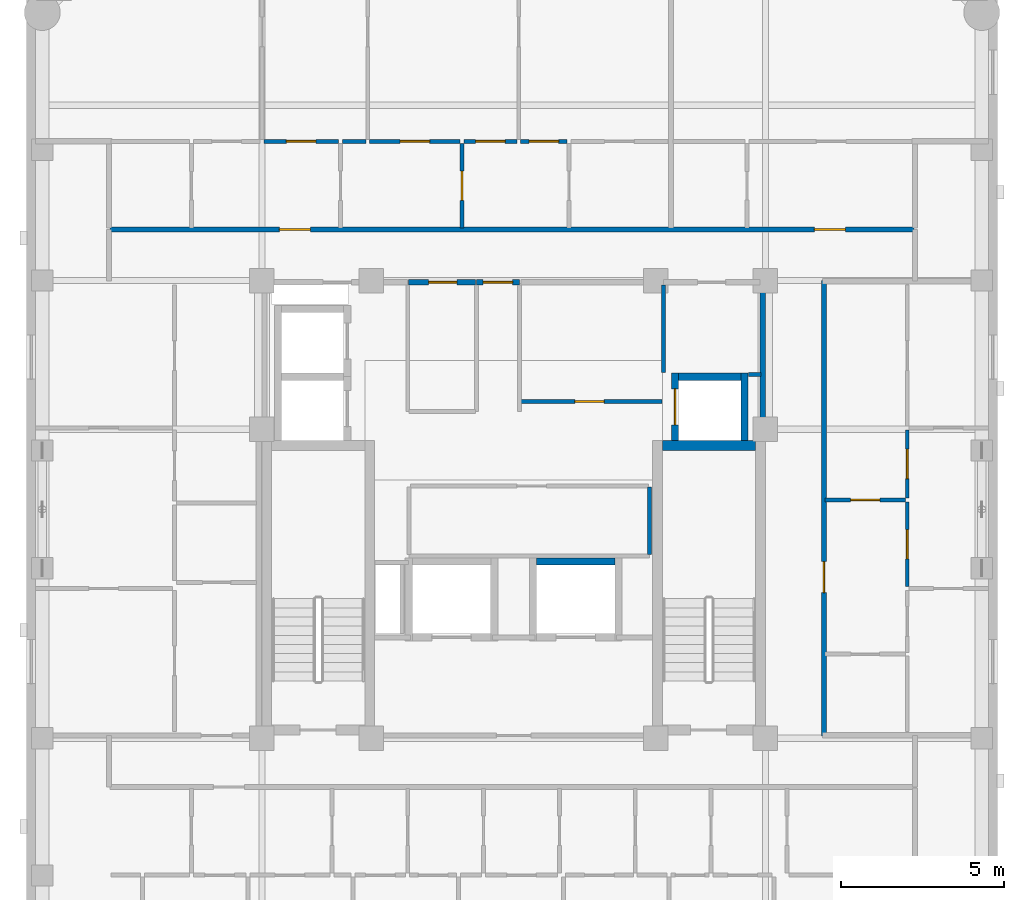
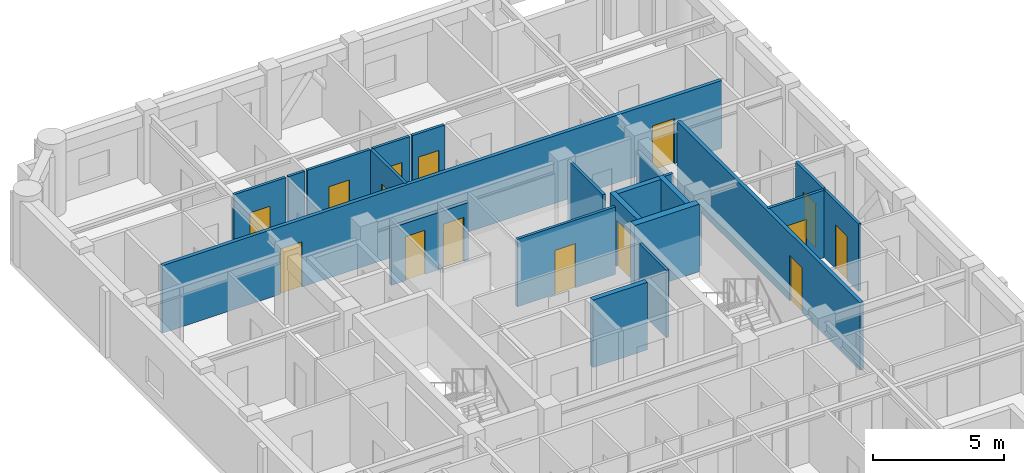
# One storey, part 6 of 11: 23 walls, 15 doors, 15 openings.
"""IFC4 building model written with IfcOpenShell, lengths in metres."""

from ifc_helpers import new_model, si_unit, derived_unit, direction, frame, frame_2d, origin, place, context, subcontext, project, spatial, rectangle, extrude, material, layer, layer_set, type_object, element, fill, save


model = new_model("IFC4")

# Units and contexts
model_context = context("Model", 3, precision=1e-05, world=origin(), true_north=direction((0.0, 1.0)))
body_context = subcontext(model_context, "Body", "Model", "MODEL_VIEW")
ifc_project = project(units=[si_unit("LENGTHUNIT", "METRE"), si_unit("AREAUNIT", "SQUARE_METRE"), si_unit("VOLUMEUNIT", "CUBIC_METRE"), si_unit("PLANEANGLEUNIT", "RADIAN"), si_unit("MASSUNIT", "GRAM", prefix="KILO"), derived_unit("THERMALTRANSMITTANCEUNIT", [(si_unit("MASSUNIT", "GRAM", prefix="KILO"), 1), (si_unit("TIMEUNIT", "SECOND"), -3), (si_unit("THERMODYNAMICTEMPERATUREUNIT", "KELVIN"), -1)])], contexts=[model_context])

# Site, building, storey
site_placement = place(None, origin())
site = spatial("IfcSite", under=ifc_project, at=site_placement, CompositionType="ELEMENT")
building_placement = place(site_placement, origin())
building = spatial("IfcBuilding", under=site, at=building_placement, Name="Korrvale Station Residences", CompositionType="ELEMENT")
storey_placement = place(building_placement, frame((0.0, 0.0, 227.5)))
storey = spatial("IfcBuildingStorey", under=building, at=storey_placement, Name="L66", CompositionType="ELEMENT", Elevation=227.5)

# Walls
ifc_material_1 = material(Name="Concrete C50/60", Category="concrete")
ifc_layer_1 = layer(ifc_material_1, 0.300048828125, Name="Concrete C50/60")
ifc_layer_set_1 = layer_set([ifc_layer_1], Name="Concrete C50/60")
wall_type_1 = type_object("IfcWallType", Name="WAL-CORE-300-C50", PredefinedType="SHEAR", material=ifc_layer_set_1)
wall_1_placement = place(storey_placement, frame((30.050048828125, 23.949951171875, 0.0), z_axis=(0.0, 0.0, 1.0), x_axis=(1.0, 0.0, 0.0)))
element("IfcWall", 1, at=wall_1_placement, inside=storey, type_object=wall_type_1, Name="L66 ST-2 Core Shear Wall North", PredefinedType="SHEAR", context=body_context, shape_type="SweptSolid", body=[
    extrude(rectangle(XDim=2.849853515625, YDim=0.300048828125, at=frame_2d((1.4248046875, 0.0))), origin(), (0.0, 0.0, 1.0), 3.139892578125),
])
ifc_material_2 = material(Name="Acoustic steel-stud gypsum board partition", Category="steel")
ifc_layer_2 = layer(ifc_material_2, 0.1201171875, Name="Acoustic steel-stud gypsum board partition")
ifc_layer_set_2 = layer_set([ifc_layer_2], Name="Acoustic steel-stud gypsum board partition")
wall_type_2 = type_object("IfcWallType", Name="WAL-PART-125", PredefinedType="PARTITIONING", material=ifc_layer_set_2)
wall_2_placement = place(storey_placement, frame((30.080078125, 26.179931640625, 0.0), z_axis=(0.0, 0.0, 1.0), x_axis=(0.0, 1.0, 0.0)))
element("IfcWall", 2, at=wall_2_placement, inside=storey, type_object=wall_type_2, Name="L66 Core Partition CW-CS-W", PredefinedType="PARTITIONING", context=body_context, shape_type="SweptSolid", body=[
    extrude(rectangle(XDim=2.68017578125, YDim=0.1201171875, at=frame_2d((1.340087890625, 0.0))), origin(), (0.0, 0.0, 1.0), 3.139892578125),
])
wall_3_placement = place(storey_placement, frame((32.679931640625, 26.1201171875, 0.0), z_axis=(0.0, 0.0, 1.0), x_axis=(1.0, 0.0, 0.0)))
element("IfcWall", 3, at=wall_3_placement, inside=storey, type_object=wall_type_2, Name="L66 Core Partition CW-CS-S", PredefinedType="PARTITIONING", context=body_context, shape_type="SweptSolid", body=[
    extrude(rectangle(XDim=0.380126953125, YDim=0.1201171875, at=frame_2d((0.18994140625, 0.0))), origin(), (0.0, 0.0, 1.0), 3.139892578125),
])

# Wall, opening, door
wall_4_placement = place(storey_placement, frame((25.719970703125, 25.300048828125, 0.0), z_axis=(0.0, 0.0, 1.0), x_axis=(1.0, 0.0, 0.0)))
wall_4 = element("IfcWall", 4, at=wall_4_placement, inside=storey, type_object=wall_type_2, Name="L66 Core Partition CW-FPLE-S", PredefinedType="PARTITIONING", context=body_context, shape_type="SweptSolid", body=[
    extrude(rectangle(XDim=4.320068359375, YDim=0.1201171875, at=frame_2d((2.16015625, 0.0))), origin(), (0.0, 0.0, 1.0), 3.139892578125),
])
opening_1_placement = place(wall_4_placement, frame((1.64990234375, 0.0, 0.0)))
opening_1 = element("IfcOpeningElement", 5, at=opening_1_placement, cuts=wall_4, Name="Opening DI-900", PredefinedType="OPENING", context=body_context, shape_type="SweptSolid", body=[
    extrude(rectangle(XDim=0.89990234375, YDim=2.050048828125, at=frame_2d((0.449951171875, 1.02490234375))), frame((0.0, 0.070068359375, 0.0), z_axis=(0.0, -1.0, 0.0), x_axis=(1.0, 0.0, 0.0)), (0.0, 0.0, 1.0), 0.14013671875),
])
ifc_material_3 = material(Name="Painted solid-core timber interior room door", Category="wood")
door_type_1 = type_object("IfcDoorType", Name="DR-INT-900", OperationType="NOTDEFINED", PredefinedType="DOOR", material=ifc_material_3)
door_1_placement = place(opening_1_placement, origin())
door_1 = element("IfcDoor", 6, at=door_1_placement, inside=storey, type_object=door_type_1, Name="L66 Housekeeping Linen Door", OperationType="SINGLE_SWING_LEFT", OverallHeight=2.050048828125, OverallWidth=0.89990234375, PredefinedType="DOOR", context=body_context, shape_type="SweptSolid", body=[
    extrude(rectangle(XDim=0.89990234375, YDim=2.050048828125, at=frame_2d((0.449951171875, 1.02490234375))), frame((0.0, 0.02490234375, 0.0), z_axis=(0.0, -1.0, 0.0), x_axis=(1.0, 0.0, 0.0)), (0.0, 0.0, 1.0), 0.050048828125),
])
fill(opening_1, door_1)

# Wall
wall_5_placement = place(storey_placement, frame((29.659912109375, 20.6201171875, 0.0), z_axis=(0.0, 0.0, 1.0), x_axis=(0.0, 1.0, 0.0)))
element("IfcWall", 7, at=wall_5_placement, inside=storey, type_object=wall_type_2, Name="L66 Core Partition CW-FPM-E", PredefinedType="PARTITIONING", context=body_context, shape_type="SweptSolid", body=[
    extrude(rectangle(XDim=2.059814453125, YDim=0.1201171875, at=frame_2d((1.02978515625, 0.0))), origin(), (0.0, 0.0, 1.0), 3.139892578125),
])

# Wall, opening, door
wall_6_placement = place(storey_placement, frame((17.860107421875, 33.260009765625, 0.0), z_axis=(0.0, 0.0, 1.0), x_axis=(1.0, 0.0, 0.0)))
wall_6 = element("IfcWall", 8, at=wall_6_placement, inside=storey, type_object=wall_type_2, Name="L66 Suite Partition U02-H16", PredefinedType="PARTITIONING", context=body_context, shape_type="SweptSolid", body=[
    extrude(rectangle(XDim=2.27978515625, YDim=0.1201171875, at=frame_2d((1.139892578125, 0.0))), origin(), (0.0, 0.0, 1.0), 3.139892578125),
])
opening_2_placement = place(wall_6_placement, frame((0.68994140625, 0.0, 0.0)))
opening_2 = element("IfcOpeningElement", 9, at=opening_2_placement, cuts=wall_6, Name="Opening DI-900", PredefinedType="OPENING", context=body_context, shape_type="SweptSolid", body=[
    extrude(rectangle(XDim=0.89990234375, YDim=2.050048828125, at=frame_2d((0.449951171875, 1.02490234375))), frame((0.0, 0.070068359375, 0.0), z_axis=(0.0, -1.0, 0.0), x_axis=(1.0, 0.0, 0.0)), (0.0, 0.0, 1.0), 0.14013671875),
])
door_2_placement = place(opening_2_placement, origin())
door_2 = element("IfcDoor", 10, at=door_2_placement, inside=storey, type_object=door_type_1, Name="L66 Apartment 2BR L66-U02 Kitchen Door", OperationType="SINGLE_SWING_RIGHT", OverallHeight=2.050048828125, OverallWidth=0.89990234375, PredefinedType="DOOR", context=body_context, shape_type="SweptSolid", body=[
    extrude(rectangle(XDim=0.89990234375, YDim=2.050048828125, at=frame_2d((0.449951171875, 1.02490234375))), frame((0.0, 0.02490234375, 0.0), z_axis=(0.0, -1.0, 0.0), x_axis=(1.0, 0.0, 0.0)), (0.0, 0.0, 1.0), 0.050048828125),
])
fill(opening_2, door_2)

wall_7_placement = place(storey_placement, frame((23.919921875, 30.60009765625, 0.0), z_axis=(0.0, 0.0, 1.0), x_axis=(0.0, 1.0, 0.0)))
wall_7 = element("IfcWall", 11, at=wall_7_placement, inside=storey, type_object=wall_type_2, Name="L66 Suite Partition U02-V23", PredefinedType="PARTITIONING", context=body_context, shape_type="SweptSolid", body=[
    extrude(rectangle(XDim=2.599853515625, YDim=0.1201171875, at=frame_2d((1.2998046875, 0.0))), origin(), (0.0, 0.0, 1.0), 3.139892578125),
])
opening_3_placement = place(wall_7_placement, frame((0.85009765625, 0.0, 0.0)))
opening_3 = element("IfcOpeningElement", 12, at=opening_3_placement, cuts=wall_7, Name="Opening DI-900", PredefinedType="OPENING", context=body_context, shape_type="SweptSolid", body=[
    extrude(rectangle(XDim=0.89990234375, YDim=2.050048828125, at=frame_2d((0.449951171875, 1.02490234375))), frame((0.0, 0.070068359375, 0.0), z_axis=(0.0, -1.0, 0.0), x_axis=(1.0, 0.0, 0.0)), (0.0, 0.0, 1.0), 0.14013671875),
])
door_3_placement = place(opening_3_placement, origin())
door_3 = element("IfcDoor", 13, at=door_3_placement, inside=storey, type_object=door_type_1, Name="L66 Apartment 2BR L66-U02 Utility and Laundry Room Door", OperationType="SINGLE_SWING_LEFT", OverallHeight=2.050048828125, OverallWidth=0.89990234375, PredefinedType="DOOR", context=body_context, shape_type="SweptSolid", body=[
    extrude(rectangle(XDim=0.89990234375, YDim=2.050048828125, at=frame_2d((0.449951171875, 1.02490234375))), frame((0.0, 0.02490234375, 0.0), z_axis=(0.0, -1.0, 0.0), x_axis=(1.0, 0.0, 0.0)), (0.0, 0.0, 1.0), 0.050048828125),
])
fill(opening_3, door_3)

# Wall
wall_8_placement = place(storey_placement, frame((20.260009765625, 33.260009765625, 0.0), z_axis=(0.0, 0.0, 1.0), x_axis=(1.0, 0.0, 0.0)))
element("IfcWall", 14, at=wall_8_placement, inside=storey, type_object=wall_type_2, Name="L66 Suite Partition U02-H26", PredefinedType="PARTITIONING", context=body_context, shape_type="SweptSolid", body=[
    extrude(rectangle(XDim=0.717041015625, YDim=0.1201171875, at=frame_2d((0.3583984375, 0.0))), origin(), (0.0, 0.0, 1.0), 3.139892578125),
])

# Wall, opening, door
wall_9_placement = place(storey_placement, frame((21.096923828125, 33.260009765625, 0.0), z_axis=(0.0, 0.0, 1.0), x_axis=(1.0, 0.0, 0.0)))
wall_9 = element("IfcWall", 15, at=wall_9_placement, inside=storey, type_object=wall_type_2, Name="L66 Suite Partition U02-H27", PredefinedType="PARTITIONING", context=body_context, shape_type="SweptSolid", body=[
    extrude(rectangle(XDim=2.76318359375, YDim=0.1201171875, at=frame_2d((1.381591796875, 0.0))), origin(), (0.0, 0.0, 1.0), 3.139892578125),
])
opening_4_placement = place(wall_9_placement, frame((0.930908203125, 0.0, 0.0)))
opening_4 = element("IfcOpeningElement", 16, at=opening_4_placement, cuts=wall_9, Name="Opening DI-900", PredefinedType="OPENING", context=body_context, shape_type="SweptSolid", body=[
    extrude(rectangle(XDim=0.89990234375, YDim=2.050048828125, at=frame_2d((0.449951171875, 1.02490234375))), frame((0.0, 0.070068359375, 0.0), z_axis=(0.0, -1.0, 0.0), x_axis=(1.0, 0.0, 0.0)), (0.0, 0.0, 1.0), 0.14013671875),
])
door_4_placement = place(opening_4_placement, origin())
door_4 = element("IfcDoor", 17, at=door_4_placement, inside=storey, type_object=door_type_1, Name="L66 Apartment 2BR L66-U02 Utility and Laundry Room Door", OperationType="SINGLE_SWING_RIGHT", OverallHeight=2.050048828125, OverallWidth=0.89990234375, PredefinedType="DOOR", context=body_context, shape_type="SweptSolid", body=[
    extrude(rectangle(XDim=0.89990234375, YDim=2.050048828125, at=frame_2d((0.449951171875, 1.02490234375))), frame((0.0, 0.02490234375, 0.0), z_axis=(0.0, -1.0, 0.0), x_axis=(1.0, 0.0, 0.0)), (0.0, 0.0, 1.0), 0.050048828125),
])
fill(opening_4, door_4)

wall_10_placement = place(storey_placement, frame((23.97998046875, 33.260009765625, 0.0), z_axis=(0.0, 0.0, 1.0), x_axis=(1.0, 0.0, 0.0)))
wall_10 = element("IfcWall", 18, at=wall_10_placement, inside=storey, type_object=wall_type_2, Name="L66 Suite Partition U02-H37", PredefinedType="PARTITIONING", context=body_context, shape_type="SweptSolid", body=[
    extrude(rectangle(XDim=1.616943359375, YDim=0.1201171875, at=frame_2d((0.80859375, 0.0))), origin(), (0.0, 0.0, 1.0), 3.139892578125),
])
opening_5_placement = place(wall_10_placement, frame((0.35791015625, 0.0, 0.0)))
opening_5 = element("IfcOpeningElement", 19, at=opening_5_placement, cuts=wall_10, Name="Opening DI-900", PredefinedType="OPENING", context=body_context, shape_type="SweptSolid", body=[
    extrude(rectangle(XDim=0.89990234375, YDim=2.050048828125, at=frame_2d((0.449951171875, 1.02490234375))), frame((0.0, 0.070068359375, 0.0), z_axis=(0.0, -1.0, 0.0), x_axis=(1.0, 0.0, 0.0)), (0.0, 0.0, 1.0), 0.14013671875),
])
door_5_placement = place(opening_5_placement, origin())
door_5 = element("IfcDoor", 20, at=door_5_placement, inside=storey, type_object=door_type_1, Name="L66 Apartment 2BR L66-U02 Storage Closet 2 Door", OperationType="SINGLE_SWING_RIGHT", OverallHeight=2.050048828125, OverallWidth=0.89990234375, PredefinedType="DOOR", context=body_context, shape_type="SweptSolid", body=[
    extrude(rectangle(XDim=0.89990234375, YDim=2.050048828125, at=frame_2d((0.449951171875, 1.02490234375))), frame((0.0, 0.02490234375, 0.0), z_axis=(0.0, -1.0, 0.0), x_axis=(1.0, 0.0, 0.0)), (0.0, 0.0, 1.0), 0.050048828125),
])
fill(opening_5, door_5)

wall_11_placement = place(storey_placement, frame((25.717041015625, 33.260009765625, 0.0), z_axis=(0.0, 0.0, 1.0), x_axis=(1.0, 0.0, 0.0)))
wall_11 = element("IfcWall", 21, at=wall_11_placement, inside=storey, type_object=wall_type_2, Name="L66 Suite Partition U02-H38", PredefinedType="PARTITIONING", context=body_context, shape_type="SweptSolid", body=[
    extrude(rectangle(XDim=1.412841796875, YDim=0.1201171875, at=frame_2d((0.70654296875, 0.0))), origin(), (0.0, 0.0, 1.0), 3.139892578125),
])
opening_6_placement = place(wall_11_placement, frame((0.257080078125, 0.0, 0.0)))
opening_6 = element("IfcOpeningElement", 22, at=opening_6_placement, cuts=wall_11, Name="Opening DI-900", PredefinedType="OPENING", context=body_context, shape_type="SweptSolid", body=[
    extrude(rectangle(XDim=0.89990234375, YDim=2.050048828125, at=frame_2d((0.449951171875, 1.02490234375))), frame((0.0, 0.070068359375, 0.0), z_axis=(0.0, -1.0, 0.0), x_axis=(1.0, 0.0, 0.0)), (0.0, 0.0, 1.0), 0.14013671875),
])
door_6_placement = place(opening_6_placement, origin())
door_6 = element("IfcDoor", 23, at=door_6_placement, inside=storey, type_object=door_type_1, Name="L66 Apartment 2BR L66-U02 Storage Closet 2 Door", OperationType="SINGLE_SWING_LEFT", OverallHeight=2.050048828125, OverallWidth=0.89990234375, PredefinedType="DOOR", context=body_context, shape_type="SweptSolid", body=[
    extrude(rectangle(XDim=0.89990234375, YDim=2.050048828125, at=frame_2d((0.449951171875, 1.02490234375))), frame((0.0, 0.02490234375, 0.0), z_axis=(0.0, -1.0, 0.0), x_axis=(1.0, 0.0, 0.0)), (0.0, 0.0, 1.0), 0.050048828125),
])
fill(opening_6, door_6)

wall_12_placement = place(storey_placement, frame((35.030029296875, 22.2900390625, 0.0), z_axis=(0.0, 0.0, 1.0), x_axis=(1.0, 0.0, 0.0)))
wall_12 = element("IfcWall", 24, at=wall_12_placement, inside=storey, type_object=wall_type_2, Name="L66 Suite Partition U05-H02", PredefinedType="PARTITIONING", context=body_context, shape_type="SweptSolid", body=[
    extrude(rectangle(XDim=2.449951171875, YDim=0.1201171875, at=frame_2d((1.22509765625, 0.0))), origin(), (0.0, 0.0, 1.0), 3.139892578125),
])
opening_7_placement = place(wall_12_placement, frame((0.77490234375, 0.0, 0.0)))
opening_7 = element("IfcOpeningElement", 25, at=opening_7_placement, cuts=wall_12, Name="Opening DI-900", PredefinedType="OPENING", context=body_context, shape_type="SweptSolid", body=[
    extrude(rectangle(XDim=0.89990234375, YDim=2.050048828125, at=frame_2d((0.449951171875, 1.02490234375))), frame((0.0, 0.070068359375, 0.0), z_axis=(0.0, -1.0, 0.0), x_axis=(1.0, 0.0, 0.0)), (0.0, 0.0, 1.0), 0.14013671875),
])
door_7_placement = place(opening_7_placement, origin())
door_7 = element("IfcDoor", 26, at=door_7_placement, inside=storey, type_object=door_type_1, Name="L66 Apartment 2BR L66-U05 Wardrobe Storage Room Door", OperationType="SINGLE_SWING_LEFT", OverallHeight=2.050048828125, OverallWidth=0.89990234375, PredefinedType="DOOR", context=body_context, shape_type="SweptSolid", body=[
    extrude(rectangle(XDim=0.89990234375, YDim=2.050048828125, at=frame_2d((0.449951171875, 1.02490234375))), frame((0.0, 0.02490234375, 0.0), z_axis=(0.0, -1.0, 0.0), x_axis=(1.0, 0.0, 0.0)), (0.0, 0.0, 1.0), 0.050048828125),
])
fill(opening_7, door_7)

wall_13_placement = place(storey_placement, frame((37.5400390625, 22.35009765625, 0.0), z_axis=(0.0, 0.0, 1.0), x_axis=(0.0, 1.0, 0.0)))
wall_13 = element("IfcWall", 27, at=wall_13_placement, inside=storey, type_object=wall_type_2, Name="L66 Suite Partition U05-V04", PredefinedType="PARTITIONING", context=body_context, shape_type="SweptSolid", body=[
    extrude(rectangle(XDim=2.081787109375, YDim=0.1201171875, at=frame_2d((1.041015625, 0.0))), origin(), (0.0, 0.0, 1.0), 3.139892578125),
])
opening_8_placement = place(wall_13_placement, frame((0.591064453125, 0.0, 0.0)))
opening_8 = element("IfcOpeningElement", 28, at=opening_8_placement, cuts=wall_13, Name="Opening DI-900", PredefinedType="OPENING", context=body_context, shape_type="SweptSolid", body=[
    extrude(rectangle(XDim=0.89990234375, YDim=2.050048828125, at=frame_2d((0.449951171875, 1.02490234375))), frame((0.0, 0.070068359375, 0.0), z_axis=(0.0, -1.0, 0.0), x_axis=(1.0, 0.0, 0.0)), (0.0, 0.0, 1.0), 0.14013671875),
])
door_8_placement = place(opening_8_placement, origin())
door_8 = element("IfcDoor", 29, at=door_8_placement, inside=storey, type_object=door_type_1, Name="L66 Apartment 2BR L66-U05 Wardrobe Storage Room Door", OperationType="SINGLE_SWING_RIGHT", OverallHeight=2.050048828125, OverallWidth=0.89990234375, PredefinedType="DOOR", context=body_context, shape_type="SweptSolid", body=[
    extrude(rectangle(XDim=0.89990234375, YDim=2.050048828125, at=frame_2d((0.449951171875, 1.02490234375))), frame((0.0, 0.02490234375, 0.0), z_axis=(0.0, -1.0, 0.0), x_axis=(1.0, 0.0, 0.0)), (0.0, 0.0, 1.0), 0.050048828125),
])
fill(opening_8, door_8)

wall_14_placement = place(storey_placement, frame((37.5400390625, 19.637939453125, 0.0), z_axis=(0.0, 0.0, 1.0), x_axis=(0.0, 1.0, 0.0)))
wall_14 = element("IfcWall", 30, at=wall_14_placement, inside=storey, type_object=wall_type_2, Name="L66 Suite Partition U05-V24", PredefinedType="PARTITIONING", context=body_context, shape_type="SweptSolid", body=[
    extrude(rectangle(XDim=2.592041015625, YDim=0.1201171875, at=frame_2d((1.2958984375, 0.0))), origin(), (0.0, 0.0, 1.0), 3.139892578125),
])
opening_9_placement = place(wall_14_placement, frame((0.845947265625, 0.0, 0.0)))
opening_9 = element("IfcOpeningElement", 31, at=opening_9_placement, cuts=wall_14, Name="Opening DI-900", PredefinedType="OPENING", context=body_context, shape_type="SweptSolid", body=[
    extrude(rectangle(XDim=0.89990234375, YDim=2.050048828125, at=frame_2d((0.449951171875, 1.02490234375))), frame((0.0, 0.070068359375, 0.0), z_axis=(0.0, -1.0, 0.0), x_axis=(1.0, 0.0, 0.0)), (0.0, 0.0, 1.0), 0.14013671875),
])
door_9_placement = place(opening_9_placement, origin())
door_9 = element("IfcDoor", 32, at=door_9_placement, inside=storey, type_object=door_type_1, Name="L66 Apartment 2BR L66-U05 Kitchen Door", OperationType="SINGLE_SWING_RIGHT", OverallHeight=2.050048828125, OverallWidth=0.89990234375, PredefinedType="DOOR", context=body_context, shape_type="SweptSolid", body=[
    extrude(rectangle(XDim=0.89990234375, YDim=2.050048828125, at=frame_2d((0.449951171875, 1.02490234375))), frame((0.0, 0.02490234375, 0.0), z_axis=(0.0, -1.0, 0.0), x_axis=(1.0, 0.0, 0.0)), (0.0, 0.0, 1.0), 0.050048828125),
])
fill(opening_9, door_9)

# Wall
ifc_material_4 = material(Name="Fire-rated twin-stud gypsum and mineral wool shaftwall assembly", Category="gypsum")
ifc_layer_3 = layer(ifc_material_4, 0.159912109375, Name="Fire-rated twin-stud gypsum and mineral wool shaftwall assembly")
ifc_layer_set_3 = layer_set([ifc_layer_3], Name="Fire-rated twin-stud gypsum and mineral wool shaftwall assembly")
wall_type_3 = type_object("IfcWallType", Name="WAL-PART-200", PredefinedType="PARTITIONING", material=ifc_layer_set_3)
wall_15_placement = place(storey_placement, frame((33.1201171875, 24.1201171875, 0.0), z_axis=(0.0, 0.0, 1.0), x_axis=(0.0, 1.0, 0.0)))
element("IfcWall", 33, at=wall_15_placement, inside=storey, type_object=wall_type_3, Name="L66 Core Partition CW-E-N", PredefinedType="PARTITIONING", context=body_context, shape_type="SweptSolid", body=[
    extrude(rectangle(XDim=4.759765625, YDim=0.159912109375, at=frame_2d((2.3798828125, 0.0))), origin(), (0.0, 0.0, 1.0), 2.47509765625),
])

# Wall, opening, door
wall_16_placement = place(storey_placement, frame((24.360107421875, 28.949951171875, 0.0), z_axis=(0.0, 0.0, 1.0), x_axis=(1.0, 0.0, 0.0)))
wall_16 = element("IfcWall", 34, at=wall_16_placement, inside=storey, type_object=wall_type_3, Name="L66 Core Partition CW-LLOB-N", PredefinedType="PARTITIONING", context=body_context, shape_type="SweptSolid", body=[
    extrude(rectangle(XDim=1.31982421875, YDim=0.159912109375, at=frame_2d((0.659912109375, 0.0))), origin(), (0.0, 0.0, 1.0), 2.66796875),
])
opening_10_placement = place(wall_16_placement, frame((0.2099609375, 0.0, 0.0)))
opening_10 = element("IfcOpeningElement", 35, at=opening_10_placement, cuts=wall_16, Name="Opening DI-900", PredefinedType="OPENING", context=body_context, shape_type="SweptSolid", body=[
    extrude(rectangle(XDim=0.89990234375, YDim=2.050048828125, at=frame_2d((0.449951171875, 1.02490234375))), frame((0.0, 0.08984375, 0.0), z_axis=(0.0, -1.0, 0.0), x_axis=(1.0, 0.0, 0.0)), (0.0, 0.0, 1.0), 0.179931640625),
])
door_10_placement = place(opening_10_placement, origin())
door_10 = element("IfcDoor", 36, at=door_10_placement, inside=storey, type_object=door_type_1, Name="L66 Central Hallway North Passage Door", OperationType="SINGLE_SWING_LEFT", OverallHeight=2.050048828125, OverallWidth=0.89990234375, PredefinedType="DOOR", context=body_context, shape_type="SweptSolid", body=[
    extrude(rectangle(XDim=0.89990234375, YDim=2.050048828125, at=frame_2d((0.449951171875, 1.02490234375))), frame((0.0, 0.02490234375, 0.0), z_axis=(0.0, -1.0, 0.0), x_axis=(1.0, 0.0, 0.0)), (0.0, 0.0, 1.0), 0.050048828125),
])
fill(opening_10, door_10)

wall_17_placement = place(storey_placement, frame((22.280029296875, 28.949951171875, 0.0), z_axis=(0.0, 0.0, 1.0), x_axis=(1.0, 0.0, 0.0)))
wall_17 = element("IfcWall", 37, at=wall_17_placement, inside=storey, type_object=wall_type_3, Name="L66 Core Partition CW-FPLW-N", PredefinedType="PARTITIONING", context=body_context, shape_type="SweptSolid", body=[
    extrude(rectangle(XDim=2.06005859375, YDim=0.159912109375, at=frame_2d((1.030029296875, 0.0))), origin(), (0.0, 0.0, 1.0), 2.66796875),
])
opening_11_placement = place(wall_17_placement, frame((0.6201171875, 0.0, 0.0)))
opening_11 = element("IfcOpeningElement", 38, at=opening_11_placement, cuts=wall_17, Name="Opening DB-860", PredefinedType="OPENING", context=body_context, shape_type="SweptSolid", body=[
    extrude(rectangle(XDim=0.860107421875, YDim=2.050048828125, at=frame_2d((0.43017578125, 1.02490234375))), frame((0.0, 0.08984375, 0.0), z_axis=(0.0, -1.0, 0.0), x_axis=(1.0, 0.0, 0.0)), (0.0, 0.0, 1.0), 0.179931640625),
])
ifc_material_5 = material(Name="Moisture-resistant solid-core bathroom door", Category="timber")
door_type_2 = type_object("IfcDoorType", Name="DR-BATH-860", OperationType="NOTDEFINED", PredefinedType="DOOR", material=ifc_material_5)
door_11_placement = place(opening_11_placement, origin())
door_11 = element("IfcDoor", 39, at=door_11_placement, inside=storey, type_object=door_type_2, Name="L66 Resident Parcel Room Door", OperationType="SINGLE_SWING_RIGHT", OverallHeight=2.050048828125, OverallWidth=0.860107421875, PredefinedType="DOOR", context=body_context, shape_type="SweptSolid", body=[
    extrude(rectangle(XDim=0.860107421875, YDim=2.050048828125, at=frame_2d((0.43017578125, 1.02490234375))), frame((0.0, 0.02490234375, 0.0), z_axis=(0.0, -1.0, 0.0), x_axis=(1.0, 0.0, 0.0)), (0.0, 0.0, 1.0), 0.050048828125),
])
fill(opening_11, door_11)

# Wall, openings, doors
wall_18_placement = place(storey_placement, frame((13.14990234375, 30.56005859375, 0.0), z_axis=(0.0, 0.0, 1.0), x_axis=(1.0, 0.0, 0.0)))
wall_18 = element("IfcWall", 40, at=wall_18_placement, inside=storey, type_object=wall_type_3, Name="L66 Rated Corridor Wall N", PredefinedType="PARTITIONING", context=body_context, shape_type="SweptSolid", body=[
    extrude(rectangle(XDim=24.60009765625, YDim=0.159912109375, at=frame_2d((12.300048828125, 0.0))), origin(), (0.0, 0.0, 1.0), 3.139892578125),
])
opening_12_placement = place(wall_18_placement, frame((5.18505859375, 0.0, 0.0)))
opening_12 = element("IfcOpeningElement", 41, at=opening_12_placement, cuts=wall_18, Name="Opening UD-950", PredefinedType="OPENING", context=body_context, shape_type="SweptSolid", body=[
    extrude(rectangle(XDim=0.949951171875, YDim=2.10009765625, at=frame_2d((0.47509765625, 1.050048828125))), frame((0.0, 0.08984375, 0.0), z_axis=(0.0, -1.0, 0.0), x_axis=(1.0, 0.0, 0.0)), (0.0, 0.0, 1.0), 0.179931640625),
])
opening_13_placement = place(wall_18_placement, frame((21.550048828125, 0.0, 0.0)))
opening_13 = element("IfcOpeningElement", 42, at=opening_13_placement, cuts=wall_18, Name="Opening UD-950", PredefinedType="OPENING", context=body_context, shape_type="SweptSolid", body=[
    extrude(rectangle(XDim=0.949951171875, YDim=2.10009765625, at=frame_2d((0.47509765625, 1.050048828125))), frame((0.0, 0.08984375, 0.0), z_axis=(0.0, -1.0, 0.0), x_axis=(1.0, 0.0, 0.0)), (0.0, 0.0, 1.0), 0.179931640625),
])
ifc_material_6 = material(Name="Solid-core acoustic oak apartment entrance door", Category="timber")
door_type_3 = type_object("IfcDoorType", Name="DR-UNIT-950", OperationType="NOTDEFINED", PredefinedType="DOOR", material=ifc_material_6)
door_12_placement = place(opening_12_placement, origin())
door_12 = element("IfcDoor", 43, at=door_12_placement, inside=storey, type_object=door_type_3, Name="L66 Apartment L66-U02 Entrance Door", OperationType="SINGLE_SWING_RIGHT", OverallHeight=2.10009765625, OverallWidth=0.949951171875, PredefinedType="DOOR", context=body_context, shape_type="SweptSolid", body=[
    extrude(rectangle(XDim=0.949951171875, YDim=2.10009765625, at=frame_2d((0.47509765625, 1.050048828125))), frame((0.0, 0.02490234375, 0.0), z_axis=(0.0, -1.0, 0.0), x_axis=(1.0, 0.0, 0.0)), (0.0, 0.0, 1.0), 0.050048828125),
])
fill(opening_12, door_12)
door_13_placement = place(opening_13_placement, origin())
door_13 = element("IfcDoor", 44, at=door_13_placement, inside=storey, type_object=door_type_3, Name="L66 Apartment L66-U03 Entrance Door", OperationType="SINGLE_SWING_LEFT", OverallHeight=2.10009765625, OverallWidth=0.949951171875, PredefinedType="DOOR", context=body_context, shape_type="SweptSolid", body=[
    extrude(rectangle(XDim=0.949951171875, YDim=2.10009765625, at=frame_2d((0.47509765625, 1.050048828125))), frame((0.0, 0.02490234375, 0.0), z_axis=(0.0, -1.0, 0.0), x_axis=(1.0, 0.0, 0.0)), (0.0, 0.0, 1.0), 0.050048828125),
])
fill(opening_13, door_13)

# Wall, opening, door
wall_19_placement = place(storey_placement, frame((34.989990234375, 15.070068359375, 0.0), z_axis=(0.0, 0.0, 1.0), x_axis=(0.0, 1.0, 0.0)))
wall_19 = element("IfcWall", 45, at=wall_19_placement, inside=storey, type_object=wall_type_3, Name="L66 Rated Corridor Wall E", PredefinedType="PARTITIONING", context=body_context, shape_type="SweptSolid", body=[
    extrude(rectangle(XDim=13.929931640625, YDim=0.159912109375, at=frame_2d((6.96484375, 0.0))), origin(), (0.0, 0.0, 1.0), 3.139892578125),
])
opening_14_placement = place(wall_19_placement, frame((4.385009765625, 0.0, 0.0)))
opening_14 = element("IfcOpeningElement", 46, at=opening_14_placement, cuts=wall_19, Name="Opening UD-950", PredefinedType="OPENING", context=body_context, shape_type="SweptSolid", body=[
    extrude(rectangle(XDim=0.949951171875, YDim=2.10009765625, at=frame_2d((0.47509765625, 1.050048828125))), frame((0.0, 0.08984375, 0.0), z_axis=(0.0, -1.0, 0.0), x_axis=(1.0, 0.0, 0.0)), (0.0, 0.0, 1.0), 0.179931640625),
])
door_14_placement = place(opening_14_placement, origin())
door_14 = element("IfcDoor", 47, at=door_14_placement, inside=storey, type_object=door_type_3, Name="L66 Apartment L66-U05 Entrance Door", OperationType="SINGLE_SWING_RIGHT", OverallHeight=2.10009765625, OverallWidth=0.949951171875, PredefinedType="DOOR", context=body_context, shape_type="SweptSolid", body=[
    extrude(rectangle(XDim=0.949951171875, YDim=2.10009765625, at=frame_2d((0.47509765625, 1.050048828125))), frame((0.0, 0.02490234375, 0.0), z_axis=(0.0, -1.0, 0.0), x_axis=(1.0, 0.0, 0.0)), (0.0, 0.0, 1.0), 0.050048828125),
])
fill(opening_14, door_14)

# Wall
ifc_layer_4 = layer(ifc_material_1, 0.219970703125, Name="Concrete C50/60")
ifc_layer_set_4 = layer_set([ifc_layer_4], Name="Concrete C50/60")
wall_type_4 = type_object("IfcWallType", Name="WAL-SHAFT-220-C50", PredefinedType="SHEAR", material=ifc_layer_set_4)
wall_20_placement = place(storey_placement, frame((30.550048828125, 26.06005859375, 0.0), z_axis=(0.0, 0.0, 1.0), x_axis=(1.0, 0.0, 0.0)))
element("IfcWall", 48, at=wall_20_placement, inside=storey, type_object=wall_type_4, Name="L66 Elevator PH-3 Hoistway Wall North", PredefinedType="SHEAR", context=body_context, shape_type="SweptSolid", body=[
    extrude(rectangle(XDim=1.89990234375, YDim=0.219970703125, at=frame_2d((0.949951171875, 0.0))), origin(), (0.0, 0.0, 1.0), 3.139892578125),
])

# Wall, opening, door
wall_21_placement = place(storey_placement, frame((30.43994140625, 24.10009765625, 0.0), z_axis=(0.0, 0.0, 1.0), x_axis=(0.0, 1.0, 0.0)))
wall_21 = element("IfcWall", 49, at=wall_21_placement, inside=storey, type_object=wall_type_4, Name="L66 Elevator PH-3 Hoistway Wall West", PredefinedType="SHEAR", context=body_context, shape_type="SweptSolid", body=[
    extrude(rectangle(XDim=2.06982421875, YDim=0.219970703125, at=frame_2d((1.034912109375, 0.0))), origin(), (0.0, 0.0, 1.0), 3.139892578125),
])
opening_15_placement = place(wall_21_placement, frame((0.485107421875, 0.0, 0.0)))
opening_15 = element("IfcOpeningElement", 50, at=opening_15_placement, cuts=wall_21, Name="Opening LD-1100", PredefinedType="OPENING", context=body_context, shape_type="SweptSolid", body=[
    extrude(rectangle(XDim=1.10009765625, YDim=2.14990234375, at=frame_2d((0.550048828125, 1.074951171875))), frame((0.0, 0.1201171875, 0.0), z_axis=(0.0, -1.0, 0.0), x_axis=(1.0, 0.0, 0.0)), (0.0, 0.0, 1.0), 0.239990234375),
])
ifc_material_7 = material(Name="Brushed stainless-steel elevator landing sliding door", Category="steel")
door_type_4 = type_object("IfcDoorType", Name="DR-LIFT-1100", OperationType="SLIDING_TO_LEFT", PredefinedType="DOOR", material=ifc_material_7)
door_15_placement = place(opening_15_placement, origin())
door_15 = element("IfcDoor", 51, at=door_15_placement, inside=storey, type_object=door_type_4, Name="L66 Elevator PH-3 Sliding Landing Door", OperationType="SLIDING_TO_LEFT", OverallHeight=2.14990234375, OverallWidth=1.10009765625, PredefinedType="DOOR", context=body_context, shape_type="SweptSolid", body=[
    extrude(rectangle(XDim=1.10009765625, YDim=2.14990234375, at=frame_2d((0.550048828125, 1.074951171875))), frame((0.0, 0.02490234375, 0.0), z_axis=(0.0, -1.0, 0.0), x_axis=(1.0, 0.0, 0.0)), (0.0, 0.0, 1.0), 0.050048828125),
])
fill(opening_15, door_15)

# Walls
wall_22_placement = place(storey_placement, frame((32.56005859375, 24.10009765625, 0.0), z_axis=(0.0, 0.0, 1.0), x_axis=(0.0, 1.0, 0.0)))
element("IfcWall", 52, at=wall_22_placement, inside=storey, type_object=wall_type_4, Name="L66 Elevator PH-3 Hoistway Wall East", PredefinedType="SHEAR", context=body_context, shape_type="SweptSolid", body=[
    extrude(rectangle(XDim=2.06982421875, YDim=0.219970703125, at=frame_2d((1.034912109375, 0.0))), origin(), (0.0, 0.0, 1.0), 3.139892578125),
])
wall_23_placement = place(storey_placement, frame((26.199951171875, 20.409912109375, 0.0), z_axis=(0.0, 0.0, 1.0), x_axis=(1.0, 0.0, 0.0)))
element("IfcWall", 53, at=wall_23_placement, inside=storey, type_object=wall_type_4, Name="L66 Elevator FFL-2 Hoistway Wall North", PredefinedType="SHEAR", context=body_context, shape_type="SweptSolid", body=[
    extrude(rectangle(XDim=2.400146484375, YDim=0.219970703125, at=frame_2d((1.2001953125, 0.0))), origin(), (0.0, 0.0, 1.0), 3.139892578125),
])

save(model, "model.ifc")
